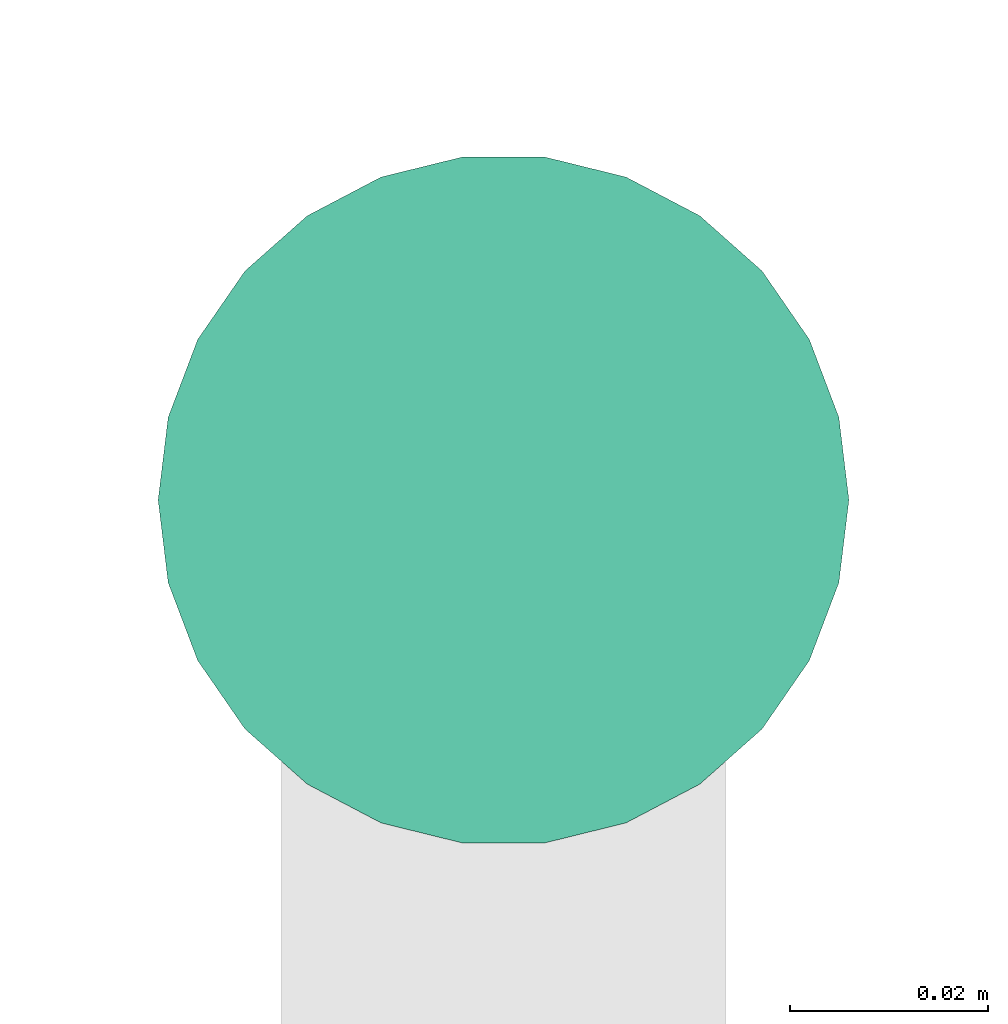
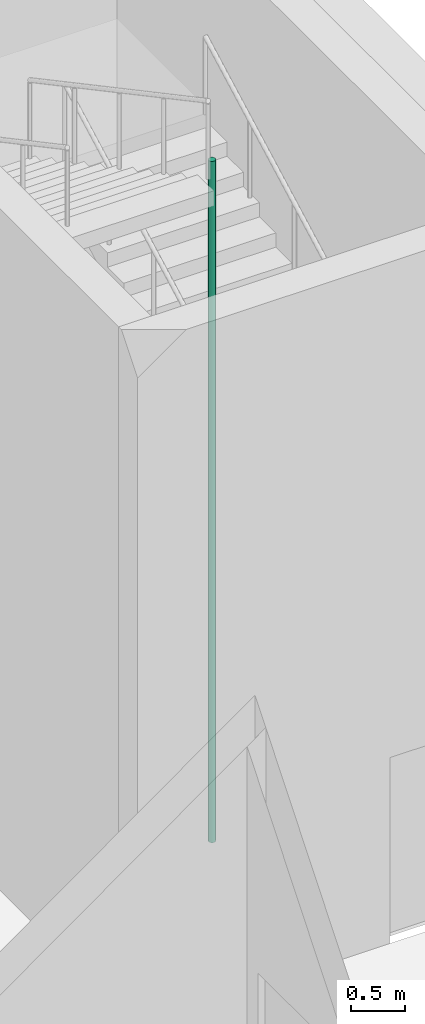
# One storey, part 25 of 33: 1 pipe segment.
"""IFC4 building model written with IfcOpenShell, lengths in metres."""

from ifc_helpers import new_model, si_unit, direction, frame, origin, origin_2d, place, context, subcontext, project, spatial, circle, extrude, element, save


model = new_model("IFC4")

# Units and contexts
model_context = context("Model", 3, precision=1e-05, world=origin(), true_north=direction((0.0, 1.0)))
body_context = subcontext(model_context, "Body", "Model", "MODEL_VIEW")
ifc_project = project(units=[si_unit("LENGTHUNIT", "METRE"), si_unit("AREAUNIT", "SQUARE_METRE"), si_unit("VOLUMEUNIT", "CUBIC_METRE"), si_unit("PLANEANGLEUNIT", "RADIAN"), si_unit("MASSUNIT", "GRAM", prefix="KILO")], contexts=[model_context])

# Site, building, storey
site_placement = place(None, origin())
site = spatial("IfcSite", under=ifc_project, at=site_placement, CompositionType="ELEMENT")
building_placement = place(site_placement, origin())
building = spatial("IfcBuilding", under=site, at=building_placement, Name="Nzadi Deep Aquarium and Research Tower", CompositionType="ELEMENT")
storey_placement = place(building_placement, frame((0.0, 0.0, 6.5)))
storey = spatial("IfcBuildingStorey", under=building, at=storey_placement, Name="L01", CompositionType="ELEMENT", Elevation=6.5)

# Pipe segment
pipe_segment_placement = place(storey_placement, frame((55.300048828125, 68.9599609375, 0.0), z_axis=(0.0, 0.0, 1.0), x_axis=(1.0, 0.0, 0.0)))
element("IfcPipeSegment", 1, at=pipe_segment_placement, inside=storey, Name="Dry riser ST-Z2-E L01", PredefinedType="RIGIDSEGMENT", context=body_context, shape_type="SweptSolid", body=[
    extrude(circle(Radius=0.034912109375, at=origin_2d()), origin(), (0.0, 0.0, 1.0), 7.699951171875),
])

save(model, "model.ifc")
